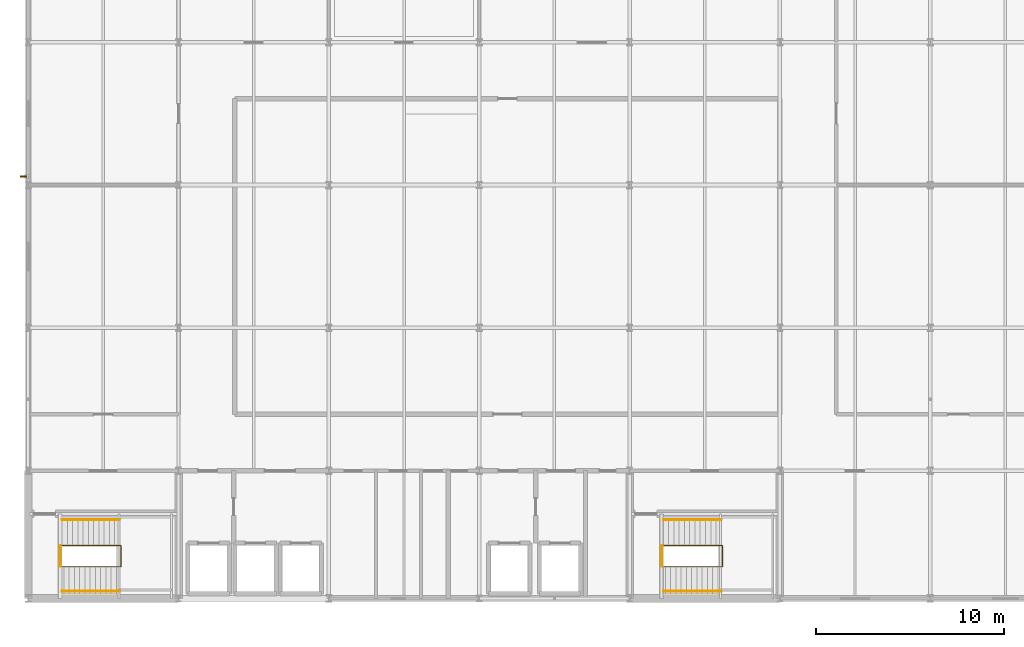
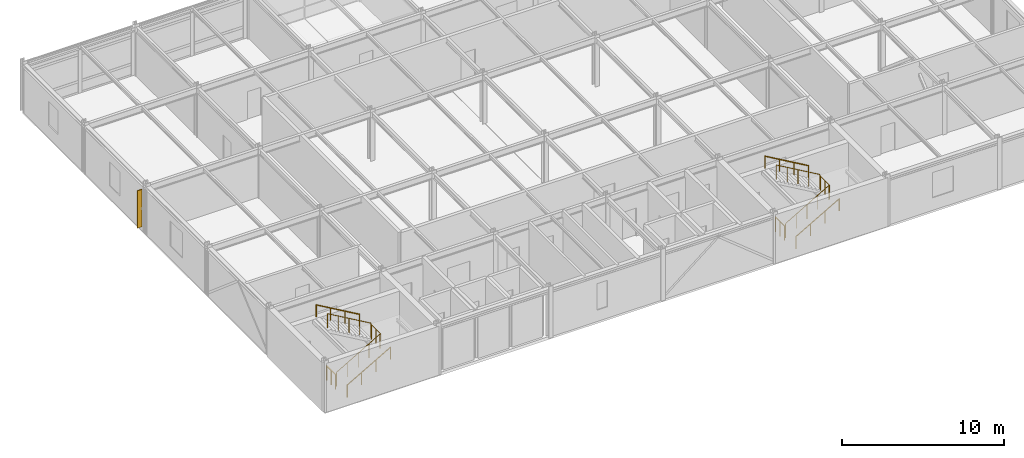
# One storey, part 14 of 15: 8 railings, 1 shading device.
"""IFC4 building model written with IfcOpenShell, lengths in metres."""

from ifc_helpers import new_model, si_unit, direction, frame, origin, origin_2d, place, context, subcontext, project, spatial, rectangle, circle, extrude, material, layer, layer_set, type_object, element, save


model = new_model("IFC4")

# Units and contexts
model_context = context("Model", 3, precision=1e-05, world=origin(), true_north=direction((0.0, 1.0)))
body_context = subcontext(model_context, "Body", "Model", "MODEL_VIEW")
ifc_project = project(units=[si_unit("LENGTHUNIT", "METRE"), si_unit("AREAUNIT", "SQUARE_METRE"), si_unit("VOLUMEUNIT", "CUBIC_METRE"), si_unit("PLANEANGLEUNIT", "RADIAN"), si_unit("MASSUNIT", "GRAM", prefix="KILO")], contexts=[model_context])

# Site, building, storey
site_placement = place(None, origin())
site = spatial("IfcSite", under=ifc_project, at=site_placement, CompositionType="ELEMENT")
building_placement = place(site_placement, origin())
building = spatial("IfcBuilding", under=site, at=building_placement, Name="Shalkamar Park Central Library", CompositionType="ELEMENT")
storey_placement = place(building_placement, frame((0.0, 0.0, 39.89990234375)))
storey = spatial("IfcBuildingStorey", under=building, at=storey_placement, Name="L10", CompositionType="ELEMENT", Elevation=39.89990234375)

# Shading device
ifc_material_1 = material(Name="Anodized bronze aluminium solar fin", Category="aluminium")
ifc_layer = layer(ifc_material_1, 0.06005859375)
ifc_layer_set = layer_set([ifc_layer], Name="BronzeSolarLouvreBlade")
shading_device_type = type_object("IfcShadingDeviceType", Name="Bronze Solar Louvre Blade", PredefinedType="SHUTTER", material=ifc_layer_set)
shading_device_placement = place(storey_placement, frame((164.739990234375, 270.85595703125, 0.300048828125), z_axis=(0.0, 0.0, 1.0), x_axis=(1.0, 0.0, 0.0)))
element("IfcShadingDevice", 1, at=shading_device_placement, inside=storey, type_object=shading_device_type, Name="Vertical Solar Fin L10-014", PredefinedType="SHUTTER", context=body_context, shape_type="SweptSolid", body=[
    extrude(rectangle(XDim=0.35009765625, YDim=0.06005859375, at=origin_2d()), origin(), (0.0, 0.0, 1.0), 2.80810546875),
])

# Railings
ifc_material_2 = material(Name="Steel S355", Category="steel")
railing_type_1 = type_object("IfcRailingType", Name="Stair Guardrail 1100", PredefinedType="GUARDRAIL", material=ifc_material_2)
railing_1_placement = place(storey_placement, frame((166.800048828125, 250.090087890625, 0.16259765625)))
element("IfcRailing", 2, at=railing_1_placement, inside=storey, type_object=railing_type_1, Name="Stair Inner Well Guardrail ST-T1-L10", PredefinedType="GUARDRAIL", context=body_context, shape_type="SweptSolid", body=[
    extrude(circle(Radius=0.02392578125, at=origin_2d()), frame((0.0, 0.0, 1.076171875), z_axis=(0.864873446163, 0.0, 0.501989962173), x_axis=(0.0, 1.0, 0.0)), (0.0, 0.0, 1.0), 3.56103515625),
    extrude(circle(Radius=0.02392578125, at=origin_2d()), frame((3.079833984375, 0.0, 2.86376953125), z_axis=(1.0, 0.0, 0.0), x_axis=(0.0, 1.0, 0.0)), (0.0, 0.0, 1.0), 0.06005859375),
    extrude(circle(Radius=0.02392578125, at=origin_2d()), frame((3.139892578125, 0.0, 2.86376953125), z_axis=(0.0, 1.0, 0.0), x_axis=(-1.0, 0.0, 0.0)), (0.0, 0.0, 1.0), 1.119873046875),
    extrude(circle(Radius=0.02392578125, at=origin_2d()), frame((3.139892578125, 1.119873046875, 2.86376953125), z_axis=(-0.346946854775, 0.0, 0.937884790346), x_axis=(0.0, -1.0, 0.0)), (0.0, 0.0, 1.0), 0.173095703125),
    extrude(circle(Radius=0.02392578125, at=origin_2d()), frame((3.079833984375, 1.119873046875, 3.02587890625), z_axis=(-0.864873446163, 0.0, 0.501989962173), x_axis=(0.0, -1.0, 0.0)), (0.0, 0.0, 1.0), 3.56103515625),
    extrude(circle(Radius=0.02099609375, at=origin_2d()), origin(), (0.0, 0.0, 1.0), 1.052001953125),
    extrude(circle(Radius=0.02099609375, at=origin_2d()), frame((0.77001953125, 0.0, 0.44677734375)), (0.0, 0.0, 1.0), 1.052001953125),
    extrude(circle(Radius=0.02099609375, at=origin_2d()), frame((1.5400390625, 0.0, 0.893798828125)), (0.0, 0.0, 1.0), 1.052001953125),
    extrude(circle(Radius=0.02099609375, at=origin_2d()), frame((2.309814453125, 0.0, 1.3408203125)), (0.0, 0.0, 1.0), 1.052001953125),
    extrude(circle(Radius=0.02099609375, at=origin_2d()), frame((3.079833984375, 0.0, 1.78759765625)), (0.0, 0.0, 1.0), 1.052001953125),
    extrude(circle(Radius=0.02099609375, at=origin_2d()), frame((3.139892578125, 0.0, 1.78759765625)), (0.0, 0.0, 1.0), 1.052001953125),
    extrude(circle(Radius=0.02099609375, at=origin_2d()), frame((3.139892578125, 0.56005859375, 1.78759765625)), (0.0, 0.0, 1.0), 1.052001953125),
    extrude(circle(Radius=0.02099609375, at=origin_2d()), frame((3.139892578125, 1.119873046875, 1.78759765625)), (0.0, 0.0, 1.0), 1.052001953125),
    extrude(circle(Radius=0.02099609375, at=origin_2d()), frame((3.079833984375, 1.119873046875, 1.949951171875)), (0.0, 0.0, 1.0), 1.052001953125),
    extrude(circle(Radius=0.02099609375, at=origin_2d()), frame((2.309814453125, 1.119873046875, 2.39697265625)), (0.0, 0.0, 1.0), 1.052001953125),
    extrude(circle(Radius=0.02099609375, at=origin_2d()), frame((1.5400390625, 1.119873046875, 2.84375)), (0.0, 0.0, 1.0), 1.052001953125),
    extrude(circle(Radius=0.02099609375, at=origin_2d()), frame((0.77001953125, 1.119873046875, 3.29052734375)), (0.0, 0.0, 1.0), 1.052001953125),
    extrude(circle(Radius=0.02099609375, at=origin_2d()), frame((0.0, 1.119873046875, 3.737548828125)), (0.0, 0.0, 1.0), 1.052001953125),
])
railing_2_placement = place(storey_placement, frame((166.739990234375, 250.10009765625, 0.0)))
element("IfcRailing", 3, at=railing_2_placement, inside=storey, type_object=railing_type_1, Name="Stair Arrival Well Guardrail ST-T1 (L10)", PredefinedType="GUARDRAIL", context=body_context, shape_type="SweptSolid", body=[
    extrude(circle(Radius=0.02392578125, at=origin_2d()), frame((0.0, 0.0, 1.076171875), z_axis=(0.0, 1.0, 0.0), x_axis=(-1.0, 0.0, 0.0)), (0.0, 0.0, 1.0), 1.099853515625),
    extrude(circle(Radius=0.02099609375, at=origin_2d()), origin(), (0.0, 0.0, 1.0), 1.052001953125),
    extrude(circle(Radius=0.02099609375, at=origin_2d()), frame((0.0, 0.5498046875, 0.0)), (0.0, 0.0, 1.0), 1.052001953125),
    extrude(circle(Radius=0.02099609375, at=origin_2d()), frame((0.0, 1.099853515625, 0.0)), (0.0, 0.0, 1.0), 1.052001953125),
])
railing_3_placement = place(storey_placement, frame((198.800048828125, 250.090087890625, 0.16259765625)))
element("IfcRailing", 4, at=railing_3_placement, inside=storey, type_object=railing_type_1, Name="Stair Inner Well Guardrail ST-T2-L10", PredefinedType="GUARDRAIL", context=body_context, shape_type="SweptSolid", body=[
    extrude(circle(Radius=0.02392578125, at=origin_2d()), frame((0.0, 0.0, 1.076171875), z_axis=(0.864873446163, 0.0, 0.501989962173), x_axis=(0.0, 1.0, 0.0)), (0.0, 0.0, 1.0), 3.56103515625),
    extrude(circle(Radius=0.02392578125, at=origin_2d()), frame((3.079833984375, 0.0, 2.86376953125), z_axis=(1.0, 0.0, 0.0), x_axis=(0.0, 1.0, 0.0)), (0.0, 0.0, 1.0), 0.06005859375),
    extrude(circle(Radius=0.02392578125, at=origin_2d()), frame((3.139892578125, 0.0, 2.86376953125), z_axis=(0.0, 1.0, 0.0), x_axis=(-1.0, 0.0, 0.0)), (0.0, 0.0, 1.0), 1.119873046875),
    extrude(circle(Radius=0.02392578125, at=origin_2d()), frame((3.139892578125, 1.119873046875, 2.86376953125), z_axis=(-0.346946854775, 0.0, 0.937884790346), x_axis=(0.0, -1.0, 0.0)), (0.0, 0.0, 1.0), 0.173095703125),
    extrude(circle(Radius=0.02392578125, at=origin_2d()), frame((3.079833984375, 1.119873046875, 3.02587890625), z_axis=(-0.864873446163, 0.0, 0.501989962173), x_axis=(0.0, -1.0, 0.0)), (0.0, 0.0, 1.0), 3.56103515625),
    extrude(circle(Radius=0.02099609375, at=origin_2d()), origin(), (0.0, 0.0, 1.0), 1.052001953125),
    extrude(circle(Radius=0.02099609375, at=origin_2d()), frame((0.77001953125, 0.0, 0.44677734375)), (0.0, 0.0, 1.0), 1.052001953125),
    extrude(circle(Radius=0.02099609375, at=origin_2d()), frame((1.5400390625, 0.0, 0.893798828125)), (0.0, 0.0, 1.0), 1.052001953125),
    extrude(circle(Radius=0.02099609375, at=origin_2d()), frame((2.309814453125, 0.0, 1.3408203125)), (0.0, 0.0, 1.0), 1.052001953125),
    extrude(circle(Radius=0.02099609375, at=origin_2d()), frame((3.079833984375, 0.0, 1.78759765625)), (0.0, 0.0, 1.0), 1.052001953125),
    extrude(circle(Radius=0.02099609375, at=origin_2d()), frame((3.139892578125, 0.0, 1.78759765625)), (0.0, 0.0, 1.0), 1.052001953125),
    extrude(circle(Radius=0.02099609375, at=origin_2d()), frame((3.139892578125, 0.56005859375, 1.78759765625)), (0.0, 0.0, 1.0), 1.052001953125),
    extrude(circle(Radius=0.02099609375, at=origin_2d()), frame((3.139892578125, 1.119873046875, 1.78759765625)), (0.0, 0.0, 1.0), 1.052001953125),
    extrude(circle(Radius=0.02099609375, at=origin_2d()), frame((3.079833984375, 1.119873046875, 1.949951171875)), (0.0, 0.0, 1.0), 1.052001953125),
    extrude(circle(Radius=0.02099609375, at=origin_2d()), frame((2.309814453125, 1.119873046875, 2.39697265625)), (0.0, 0.0, 1.0), 1.052001953125),
    extrude(circle(Radius=0.02099609375, at=origin_2d()), frame((1.5400390625, 1.119873046875, 2.84375)), (0.0, 0.0, 1.0), 1.052001953125),
    extrude(circle(Radius=0.02099609375, at=origin_2d()), frame((0.77001953125, 1.119873046875, 3.29052734375)), (0.0, 0.0, 1.0), 1.052001953125),
    extrude(circle(Radius=0.02099609375, at=origin_2d()), frame((0.0, 1.119873046875, 3.737548828125)), (0.0, 0.0, 1.0), 1.052001953125),
])
railing_4_placement = place(storey_placement, frame((198.739990234375, 250.10009765625, 0.0)))
element("IfcRailing", 5, at=railing_4_placement, inside=storey, type_object=railing_type_1, Name="Stair Arrival Well Guardrail ST-T2 (L10)", PredefinedType="GUARDRAIL", context=body_context, shape_type="SweptSolid", body=[
    extrude(circle(Radius=0.02392578125, at=origin_2d()), frame((0.0, 0.0, 1.076171875), z_axis=(0.0, 1.0, 0.0), x_axis=(-1.0, 0.0, 0.0)), (0.0, 0.0, 1.0), 1.099853515625),
    extrude(circle(Radius=0.02099609375, at=origin_2d()), origin(), (0.0, 0.0, 1.0), 1.052001953125),
    extrude(circle(Radius=0.02099609375, at=origin_2d()), frame((0.0, 0.5498046875, 0.0)), (0.0, 0.0, 1.0), 1.052001953125),
    extrude(circle(Radius=0.02099609375, at=origin_2d()), frame((0.0, 1.099853515625, 0.0)), (0.0, 0.0, 1.0), 1.052001953125),
])
railing_type_2 = type_object("IfcRailingType", Name="Stair Pitched Handrail 920", PredefinedType="HANDRAIL", material=ifc_material_2)
railing_5_placement = place(storey_placement, frame((166.800048828125, 248.780029296875, 0.16259765625)))
element("IfcRailing", 6, at=railing_5_placement, inside=storey, type_object=railing_type_2, Name="Stair Wall Handrail ST-T1-L10 Flight 1", PredefinedType="HANDRAIL", context=body_context, shape_type="SweptSolid", body=[
    extrude(circle(Radius=0.02392578125, at=origin_2d()), frame((0.0, 0.0, 0.89599609375), z_axis=(0.864873446163, 0.0, 0.501989962173), x_axis=(0.0, 1.0, 0.0)), (0.0, 0.0, 1.0), 3.56103515625),
    extrude(circle(Radius=0.02099609375, at=origin_2d()), origin(), (0.0, 0.0, 1.0), 0.871826171875),
    extrude(circle(Radius=0.02099609375, at=origin_2d()), frame((1.026611328125, 0.0, 0.595947265625)), (0.0, 0.0, 1.0), 0.871826171875),
    extrude(circle(Radius=0.02099609375, at=origin_2d()), frame((2.05322265625, 0.0, 1.191650390625)), (0.0, 0.0, 1.0), 0.871826171875),
    extrude(circle(Radius=0.02099609375, at=origin_2d()), frame((3.079833984375, 0.0, 1.78759765625)), (0.0, 0.0, 1.0), 0.871826171875),
])
railing_6_placement = place(storey_placement, frame((169.8798828125, 252.60009765625, 2.112548828125)))
element("IfcRailing", 7, at=railing_6_placement, inside=storey, type_object=railing_type_2, Name="Stair Wall Handrail ST-T1-L10 Flight 2", PredefinedType="HANDRAIL", context=body_context, shape_type="SweptSolid", body=[
    extrude(circle(Radius=0.02392578125, at=origin_2d()), frame((0.0, 0.0, 0.89599609375), z_axis=(-0.864873446163, 0.0, 0.501989962173), x_axis=(0.0, -1.0, 0.0)), (0.0, 0.0, 1.0), 3.56103515625),
    extrude(circle(Radius=0.02099609375, at=origin_2d()), origin(), (0.0, 0.0, 1.0), 0.871826171875),
    extrude(circle(Radius=0.02099609375, at=origin_2d()), frame((-1.026611328125, 0.0, 0.595947265625)), (0.0, 0.0, 1.0), 0.871826171875),
    extrude(circle(Radius=0.02099609375, at=origin_2d()), frame((-2.05322265625, 0.0, 1.191650390625)), (0.0, 0.0, 1.0), 0.871826171875),
    extrude(circle(Radius=0.02099609375, at=origin_2d()), frame((-3.079833984375, 0.0, 1.78759765625)), (0.0, 0.0, 1.0), 0.871826171875),
])
railing_7_placement = place(storey_placement, frame((198.800048828125, 248.780029296875, 0.16259765625)))
element("IfcRailing", 8, at=railing_7_placement, inside=storey, type_object=railing_type_2, Name="Stair Wall Handrail ST-T2-L10 Flight 1", PredefinedType="HANDRAIL", context=body_context, shape_type="SweptSolid", body=[
    extrude(circle(Radius=0.02392578125, at=origin_2d()), frame((0.0, 0.0, 0.89599609375), z_axis=(0.864873446163, 0.0, 0.501989962173), x_axis=(0.0, 1.0, 0.0)), (0.0, 0.0, 1.0), 3.56103515625),
    extrude(circle(Radius=0.02099609375, at=origin_2d()), origin(), (0.0, 0.0, 1.0), 0.871826171875),
    extrude(circle(Radius=0.02099609375, at=origin_2d()), frame((1.026611328125, 0.0, 0.595947265625)), (0.0, 0.0, 1.0), 0.871826171875),
    extrude(circle(Radius=0.02099609375, at=origin_2d()), frame((2.05322265625, 0.0, 1.191650390625)), (0.0, 0.0, 1.0), 0.871826171875),
    extrude(circle(Radius=0.02099609375, at=origin_2d()), frame((3.079833984375, 0.0, 1.78759765625)), (0.0, 0.0, 1.0), 0.871826171875),
])
railing_8_placement = place(storey_placement, frame((201.8798828125, 252.60009765625, 2.112548828125)))
element("IfcRailing", 9, at=railing_8_placement, inside=storey, type_object=railing_type_2, Name="Stair Wall Handrail ST-T2-L10 Flight 2", PredefinedType="HANDRAIL", context=body_context, shape_type="SweptSolid", body=[
    extrude(circle(Radius=0.02392578125, at=origin_2d()), frame((0.0, 0.0, 0.89599609375), z_axis=(-0.864873446163, 0.0, 0.501989962173), x_axis=(0.0, -1.0, 0.0)), (0.0, 0.0, 1.0), 3.56103515625),
    extrude(circle(Radius=0.02099609375, at=origin_2d()), origin(), (0.0, 0.0, 1.0), 0.871826171875),
    extrude(circle(Radius=0.02099609375, at=origin_2d()), frame((-1.026611328125, 0.0, 0.595947265625)), (0.0, 0.0, 1.0), 0.871826171875),
    extrude(circle(Radius=0.02099609375, at=origin_2d()), frame((-2.05322265625, 0.0, 1.191650390625)), (0.0, 0.0, 1.0), 0.871826171875),
    extrude(circle(Radius=0.02099609375, at=origin_2d()), frame((-3.079833984375, 0.0, 1.78759765625)), (0.0, 0.0, 1.0), 0.871826171875),
])

save(model, "model.ifc")
